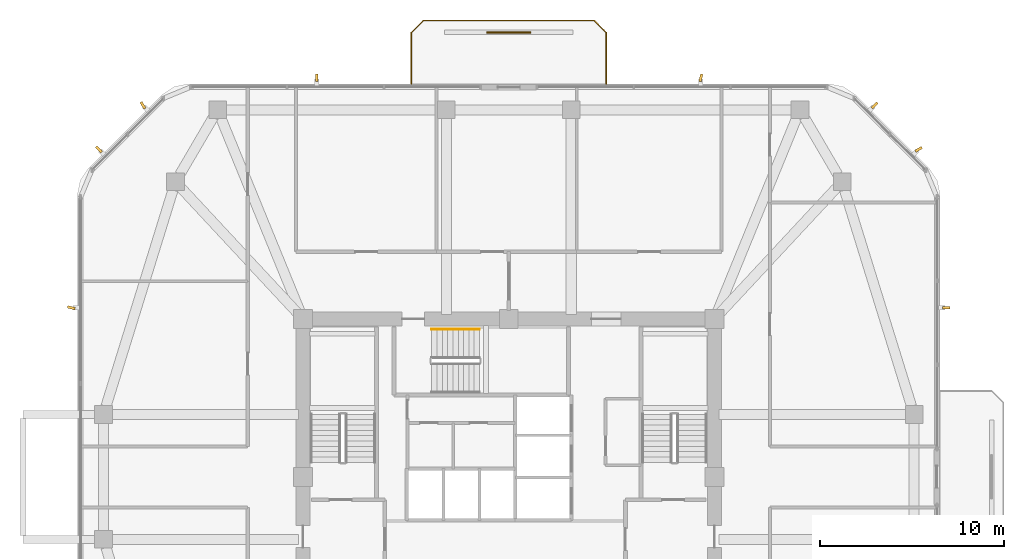
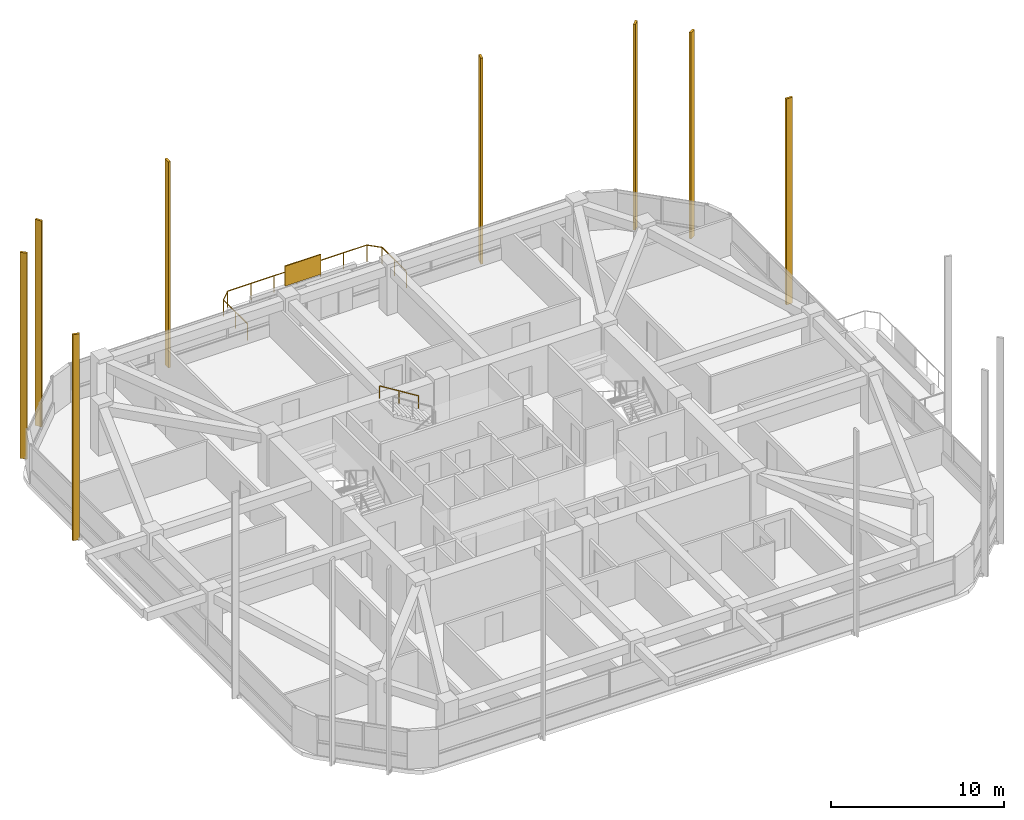
# One storey, part 14 of 14: 9 shading devices, 2 railings.
"""IFC4 building model written with IfcOpenShell, lengths in metres."""

import ifcopenshell
import ifcopenshell.guid

model = None  # the IFC model being written
_history = None  # IfcOwnerHistory: only IFC2X3 demands one
_inside = {}  # id of a spatial element -> (the spatial element, [elements in it])
_under = {}  # id of a project, library or spatial element -> (it, [spatial elements below it])
_declared = {}  # id of a project -> (the project, [libraries it declares])
_typed = {}  # id of a type object -> (the type object, [elements of that type])
_made_of = {}  # id of a material, layer set ... -> (it, [elements and type objects made of it])


def new_model(schema):
    """Start an empty IFC model of exactly this schema.

    Asked for "IFC4X3", IfcOpenShell would pick the latest addendum, in which some entities
    have other attributes; the version numbers below select the first issue.
    IFC2X3 requires an IfcOwnerHistory on every rooted entity: one is made here for all.
    """
    global model, _history
    if schema == "IFC4X3":
        model = ifcopenshell.file(schema_version=(4, 3, 0, 0))
    else:
        model = ifcopenshell.file(schema=schema)
    _inside.clear()
    _under.clear()
    _declared.clear()
    _typed.clear()
    _made_of.clear()
    _history = None
    if model.schema == "IFC2X3":
        org = make("IfcOrganization", Name="unknown")
        user = make(
            "IfcPersonAndOrganization",
            ThePerson=make("IfcPerson", FamilyName="unknown"),
            TheOrganization=org,
        )
        app = make(
            "IfcApplication",
            ApplicationDeveloper=org,
            Version="unknown",
            ApplicationFullName="unknown",
            ApplicationIdentifier="unknown",
        )
        _history = make(
            "IfcOwnerHistory",
            OwningUser=user,
            OwningApplication=app,
            ChangeAction="ADDED",
            CreationDate=0,
        )
    return model


def make(cls, **values):
    """One entity of the class cls with the attributes given. An attribute that is None is left unset."""
    return model.create_entity(
        cls, **{name: value for name, value in values.items() if value is not None}
    )


def rooted(cls, **values):
    """An entity with a GlobalId (a new one), such as an element, a storey or a relation."""
    return make(cls, GlobalId=ifcopenshell.guid.new(), OwnerHistory=_history, **values)


def si_unit(unit_type, name, prefix=None):
    """IfcSIUnit, for example si_unit("LENGTHUNIT", "METRE", prefix="MILLI")."""
    return make("IfcSIUnit", UnitType=unit_type, Prefix=prefix, Name=name)


def derived_unit(unit_type, elements):
    """IfcDerivedUnit: a product of units, each with its exponent."""
    return make(
        "IfcDerivedUnit",
        Elements=[
            make("IfcDerivedUnitElement", Unit=unit, Exponent=power)
            for unit, power in elements
        ],
        UnitType=unit_type,
    )


def assignment(units):
    """IfcUnitAssignment: the units of a project."""
    return None if units is None else make("IfcUnitAssignment", Units=units)


def point(xyz):
    """IfcCartesianPoint."""
    return None if xyz is None else make("IfcCartesianPoint", Coordinates=xyz)


def direction(xyz):
    """IfcDirection."""
    return None if xyz is None else make("IfcDirection", DirectionRatios=xyz)


def frame(location, z_axis=None, x_axis=None):
    """IfcAxis2Placement3D, a coordinate frame: its origin and axes. An axis left out is left unset."""
    return make(
        "IfcAxis2Placement3D",
        Location=point(location),
        Axis=direction(z_axis),
        RefDirection=direction(x_axis),
    )


def frame_2d(location, x_axis=None):
    """IfcAxis2Placement2D, a coordinate frame in the plane: its origin and x axis."""
    return make(
        "IfcAxis2Placement2D", Location=point(location), RefDirection=direction(x_axis)
    )


def origin():
    """The frame at (0, 0, 0) with its axes left unset."""
    return frame((0.0, 0.0, 0.0))


def origin_2d():
    """The frame at (0, 0) in the plane with its x axis left unset."""
    return frame_2d((0.0, 0.0))


def place(relative_to, where):
    """IfcLocalPlacement: puts the frame where relative to a parent placement (None: the world)."""
    return make(
        "IfcLocalPlacement", PlacementRelTo=relative_to, RelativePlacement=where
    )


def context(
    kind, dimensions, precision=None, world=None, true_north=None, identifier=None
):
    """IfcGeometricRepresentationContext, for example the 3D "Model" context."""
    return make(
        "IfcGeometricRepresentationContext",
        ContextIdentifier=identifier,
        ContextType=kind,
        CoordinateSpaceDimension=dimensions,
        Precision=precision,
        WorldCoordinateSystem=world,
        TrueNorth=true_north,
    )


def subcontext(parent, identifier, kind, view, scale=None):
    """IfcGeometricRepresentationSubContext, for example "Body" below "Model"."""
    return make(
        "IfcGeometricRepresentationSubContext",
        ContextIdentifier=identifier,
        ContextType=kind,
        ParentContext=parent,
        TargetScale=scale,
        TargetView=view,
    )


def project(units=None, contexts=None):
    """IfcProject with its units and contexts."""
    return rooted(
        "IfcProject",
        Name="project",
        RepresentationContexts=contexts,
        UnitsInContext=assignment(units),
    )


def spatial(cls, under=None, at=None, **own):
    """A site, building, storey or space (cls), placed at a placement, below another one or the project."""
    s = rooted(cls, ObjectPlacement=at, **own)
    if under is not None:
        _under.setdefault(under.id(), (under, []))[1].append(s)
    return s


def profile(cls, at=None, kind="AREA", **sizes):
    """A parametric profile (cls). Its sizes go by their IFC names, for example OverallWidth=200.0."""
    return make(cls, ProfileType=kind, Position=at, **sizes)


def rectangle(**sizes):
    """IfcRectangleProfileDef."""
    return profile("IfcRectangleProfileDef", **sizes)


def extrude(swept, where, along, depth):
    """IfcExtrudedAreaSolid: the profile swept, set in the frame where, extruded along a direction by depth."""
    return make(
        "IfcExtrudedAreaSolid",
        SweptArea=swept,
        Position=where,
        ExtrudedDirection=direction(along),
        Depth=depth,
    )


def shape(context_of_items, identifier, shape_type, items):
    """IfcShapeRepresentation: the items that make up one representation, for example the "Body"."""
    return make(
        "IfcShapeRepresentation",
        ContextOfItems=context_of_items,
        RepresentationIdentifier=identifier,
        RepresentationType=shape_type,
        Items=items,
    )


def material(Name=None, Category=None):
    """IfcMaterial."""
    return make("IfcMaterial", Name=Name, Category=Category)


def layer(
    of_material, thickness, ventilated=None, Name=None, Category=None, Priority=None
):
    """IfcMaterialLayer: one layer of a wall or slab, of a material (None: an air gap)."""
    return make(
        "IfcMaterialLayer",
        Material=of_material,
        LayerThickness=thickness,
        IsVentilated=ventilated,
        Name=Name,
        Category=Category,
        Priority=Priority,
    )


def layer_set(layers, Name=None):
    """IfcMaterialLayerSet."""
    return make("IfcMaterialLayerSet", MaterialLayers=layers, LayerSetName=Name)


def made_of(thing, what):
    """Note that an element or type object is made of a material, layer set ...; save() writes the relation."""
    if what is not None:
        _made_of.setdefault(what.id(), (what, []))[1].append(thing)
    return thing


def type_object(cls, material=None, **own):
    """A type object (cls), such as IfcWallType, which elements share."""
    return made_of(rooted(cls, **own), material)


def element(
    cls,
    number,
    at=None,
    inside=None,
    cuts=None,
    type_object=None,
    material=None,
    context=None,
    identifier="Body",
    shape_type=None,
    held_by="IfcProductDefinitionShape",
    body=None,
    shapes=None,
    **own,
):
    """One element of the class cls, such as IfcWall. Its Tag is "e" and its number.

    at: its placement. inside: the storey or other place that contains it. cuts: it is an
    opening in that element (IfcRelVoidsElement). A single representation is given by context,
    identifier, shape_type and body (its items); several are given by shapes. held_by: the class
    of the entity that holds the representations. save() writes the other relations.
    """
    e = rooted(cls, Tag="e%d" % number, ObjectPlacement=at, **own)
    if body is not None:
        shapes = [shape(context, identifier, shape_type, body)]
    if shapes is not None:
        e.Representation = make(held_by, Representations=shapes)
    if inside is not None:
        _inside.setdefault(inside.id(), (inside, []))[1].append(e)
    if cuts is not None:
        rooted(
            "IfcRelVoidsElement", RelatingBuildingElement=cuts, RelatedOpeningElement=e
        )
    if type_object is not None:
        _typed.setdefault(type_object.id(), (type_object, []))[1].append(e)
    return made_of(e, material)


def aggregate(whole, parts):
    """IfcRelAggregates: a whole, such as a stair, and the parts it consists of."""
    return rooted("IfcRelAggregates", RelatingObject=whole, RelatedObjects=parts)


def save(model, path):
    """Write the relations noted so far, then the file.

    IfcRelAggregates (storeys below a building ...), IfcRelContainedInSpatialStructure (elements
    in a storey), IfcRelDefinesByType, IfcRelAssociatesMaterial and IfcRelDeclares: one each for
    every whole, place, type object, material and project.
    """
    for whole, parts in _under.values():
        aggregate(whole, parts)
    for where, things in _inside.values():
        rooted(
            "IfcRelContainedInSpatialStructure",
            RelatedElements=things,
            RelatingStructure=where,
        )
    for kind, things in _typed.values():
        rooted("IfcRelDefinesByType", RelatedObjects=things, RelatingType=kind)
    for what, things in _made_of.values():
        rooted("IfcRelAssociatesMaterial", RelatedObjects=things, RelatingMaterial=what)
    for by, libraries in _declared.values():
        rooted("IfcRelDeclares", RelatingContext=by, RelatedDefinitions=libraries)
    model.write(path)


model = new_model("IFC4")

# Units and contexts
model_context = context("Model", 3, precision=1e-05, world=origin(), true_north=direction((0.0, 1.0)))
body_context = subcontext(model_context, "Body", "Model", "MODEL_VIEW")
ifc_project = project(units=[si_unit("LENGTHUNIT", "METRE"), si_unit("AREAUNIT", "SQUARE_METRE"), si_unit("VOLUMEUNIT", "CUBIC_METRE"), si_unit("PLANEANGLEUNIT", "RADIAN"), si_unit("MASSUNIT", "GRAM", prefix="KILO"), derived_unit("THERMALTRANSMITTANCEUNIT", [(si_unit("POWERUNIT", "WATT"), 1), (si_unit("LENGTHUNIT", "METRE"), -2), (si_unit("THERMODYNAMICTEMPERATUREUNIT", "KELVIN"), -1)])], contexts=[model_context])

# Site, building, storey
site_placement = place(None, origin())
site = spatial("IfcSite", under=ifc_project, at=site_placement, CompositionType="ELEMENT")
building_placement = place(site_placement, origin())
building = spatial("IfcBuilding", under=site, at=building_placement, Name="Koralith Skygarden Medical Center", CompositionType="ELEMENT")
storey_placement = place(building_placement, frame((0.0, 0.0, 160.02001953125)))
storey = spatial("IfcBuildingStorey", under=building, at=storey_placement, Name="L41", CompositionType="ELEMENT", Elevation=160.02001953125)

# Shading devices
ifc_material_1 = material(Name="Aluminium 6063-T6", Category="aluminium")
shading_device_type_1 = type_object("IfcShadingDeviceType", Name="Limestone-Clad Solar Storm Fin 420", PredefinedType="USERDEFINED", material=ifc_material_1)
for number, where, z_axis, x_axis, name in (
    (1, (60.81396484375, 35.110107421875, -0.2001953125), (0.0, 0.0, 1.0), (0.999964468264, -0.008429840443, 0.0), "L41 E Harmonic Solar Storm Fin 2"),
    (2, (59.31591796875, 43.73388671875, -0.2001953125), (0.0, 0.0, 1.0), (0.857095379465, 0.515157753022, 0.0), "L41 NE Harmonic Solar Storm Fin 1"),
    (3, (56.91796875, 46.132080078125, -0.2001953125), (0.0, 0.0, 1.0), (0.713042453797, 0.701120859113, 0.0), "L41 NE Harmonic Solar Storm Fin 2"),
    (4, (47.4599609375, 47.6298828125, -0.2001953125), (0.0, 0.0, 1.0), (0.241786414401, 0.970329495487, 0.0), "L41 N Harmonic Solar Storm Fin 1"),
    (5, (26.5400390625, 47.6298828125, -0.2001953125), (0.0, 0.0, 1.0), (0.008429840443, 0.999964468264, 0.0), "L41 N Harmonic Solar Storm Fin 2"),
    (6, (17.08203125, 46.132080078125, -0.2001953125), (0.0, 0.0, 1.0), (-0.515157753022, 0.857095379465, 0.0), "L41 NW Harmonic Solar Storm Fin 1"),
    (7, (14.68408203125, 43.73388671875, -0.2001953125), (0.0, 0.0, 1.0), (-0.701120859113, 0.713042453797, 0.0), "L41 NW Harmonic Solar Storm Fin 2"),
    (8, (13.18603515625, 35.110107421875, -0.2001953125), (0.0, 0.0, 1.0), (-0.970329495487, 0.241786414401, 0.0), "L41 W Harmonic Solar Storm Fin 1"),
):
    element("IfcShadingDevice", number, at=place(storey_placement, frame(where, z_axis=z_axis, x_axis=x_axis)), inside=storey, type_object=shading_device_type_1, Name=name, ObjectType="SOLAR FIN", PredefinedType="USERDEFINED", context=body_context, shape_type="SweptSolid", body=[
        extrude(rectangle(XDim=0.419921875, YDim=0.139892578125, at=origin_2d()), origin(), (0.0, 0.0, 1.0), 14.550048828125),
    ])

# Railing
ifc_material_2 = material(Name="Steel ASTM A500 Grade C", Category="steel")
railing_type_1 = type_object("IfcRailingType", Name="Outdoor Terrace & Balcony Safety Guardrail 1180", PredefinedType="GUARDRAIL", material=ifc_material_2)
railing_1_placement = place(storey_placement, frame((42.300048828125, 47.300048828125, 0.0)))
element("IfcRailing", 9, at=railing_1_placement, inside=storey, type_object=railing_type_1, Name="L41 N Balcony Perimeter Guardrail", PredefinedType="GUARDRAIL", context=body_context, shape_type="SweptSolid", body=[
    extrude(rectangle(XDim=0.050048828125, YDim=0.050048828125, at=origin_2d()), frame((0.0, 0.001953125, 1.15478515625), z_axis=(0.0, 1.0, 0.0), x_axis=(-1.0, 0.0, 0.0)), (0.0, 0.0, 1.0), 2.796142578125),
    extrude(rectangle(XDim=0.050048828125, YDim=0.050048828125, at=origin_2d()), frame((-0.00146484375, 2.801513671875, 1.15478515625), z_axis=(-0.707239558722, 0.706973978714, 0.0), x_axis=(-0.706973978714, -0.707239558722, 0.0)), (0.0, 0.0, 1.0), 0.915283203125),
    extrude(rectangle(XDim=0.050048828125, YDim=0.050048828125, at=origin_2d()), frame((-0.652099609375, 3.449951171875, 1.15478515625), z_axis=(-1.0, 0.0, 0.0), x_axis=(0.0, -1.0, 0.0)), (0.0, 0.0, 1.0), 9.2958984375),
    extrude(rectangle(XDim=0.050048828125, YDim=0.050048828125, at=origin_2d()), frame((-9.951416015625, 3.448486328125, 1.15478515625), z_axis=(-0.707239558722, -0.706973978714, 0.0), x_axis=(0.706973978714, -0.707239558722, 0.0)), (0.0, 0.0, 1.0), 0.915283203125),
    extrude(rectangle(XDim=0.050048828125, YDim=0.050048828125, at=origin_2d()), frame((-10.60009765625, 2.798095703125, 1.15478515625), z_axis=(0.0, -1.0, 0.0), x_axis=(1.0, 0.0, 0.0)), (0.0, 0.0, 1.0), 2.796142578125),
    extrude(rectangle(XDim=0.0419921875, YDim=0.0419921875, at=origin_2d()), origin(), (0.0, 0.0, 1.0), 1.1279296875),
    extrude(rectangle(XDim=0.0419921875, YDim=0.0419921875, at=origin_2d()), frame((0.0, 1.39990234375, 0.0)), (0.0, 0.0, 1.0), 1.1279296875),
    extrude(rectangle(XDim=0.0419921875, YDim=0.0419921875, at=origin_2d()), frame((0.0, 2.800048828125, 0.0)), (0.0, 0.0, 1.0), 1.1279296875),
    extrude(rectangle(XDim=0.0419921875, YDim=0.0419921875, at=origin_2d()), frame((-0.650146484375, 3.449951171875, 0.0)), (0.0, 0.0, 1.0), 1.1279296875),
    extrude(rectangle(XDim=0.0419921875, YDim=0.0419921875, at=origin_2d()), frame((-2.2001953125, 3.449951171875, 0.0)), (0.0, 0.0, 1.0), 1.1279296875),
    extrude(rectangle(XDim=0.0419921875, YDim=0.0419921875, at=origin_2d()), frame((-3.75, 3.449951171875, 0.0)), (0.0, 0.0, 1.0), 1.1279296875),
    extrude(rectangle(XDim=0.0419921875, YDim=0.0419921875, at=origin_2d()), frame((-5.300048828125, 3.449951171875, 0.0)), (0.0, 0.0, 1.0), 1.1279296875),
    extrude(rectangle(XDim=0.0419921875, YDim=0.0419921875, at=origin_2d()), frame((-6.85009765625, 3.449951171875, 0.0)), (0.0, 0.0, 1.0), 1.1279296875),
    extrude(rectangle(XDim=0.0419921875, YDim=0.0419921875, at=origin_2d()), frame((-8.39990234375, 3.449951171875, 0.0)), (0.0, 0.0, 1.0), 1.1279296875),
    extrude(rectangle(XDim=0.0419921875, YDim=0.0419921875, at=origin_2d()), frame((-9.949951171875, 3.449951171875, 0.0)), (0.0, 0.0, 1.0), 1.1279296875),
    extrude(rectangle(XDim=0.0419921875, YDim=0.0419921875, at=origin_2d()), frame((-10.60009765625, 2.800048828125, 0.0)), (0.0, 0.0, 1.0), 1.1279296875),
    extrude(rectangle(XDim=0.0419921875, YDim=0.0419921875, at=origin_2d()), frame((-10.60009765625, 1.39990234375, 0.0)), (0.0, 0.0, 1.0), 1.1279296875),
    extrude(rectangle(XDim=0.0419921875, YDim=0.0419921875, at=origin_2d()), frame((-10.60009765625, 0.0, 0.0)), (0.0, 0.0, 1.0), 1.1279296875),
])

# Shading device
ifc_layer = layer(ifc_material_1, 0.080078125)
ifc_layer_set = layer_set([ifc_layer], Name="Aluminium 6063-T6")
shading_device_type_2 = type_object("IfcShadingDeviceType", Name="Perforated Biophilic Balcony Trellis Screen", PredefinedType="USERDEFINED", material=ifc_layer_set)
shading_device_placement = place(storey_placement, frame((37.0, 50.10009765625, 0.719970703125), z_axis=(0.0, 0.0, 1.0), x_axis=(1.0, 0.0, 0.0)))
element("IfcShadingDevice", 10, at=shading_device_placement, inside=storey, type_object=shading_device_type_2, Name="L41 N Biophilic Balcony Trellis Screen", ObjectType="HURRICANE SCREEN", PredefinedType="USERDEFINED", context=body_context, shape_type="SweptSolid", body=[
    extrude(rectangle(XDim=2.39990234375, YDim=0.080078125, at=origin_2d()), origin(), (0.0, 0.0, 1.0), 1.39990234375),
])

# Railing
railing_type_2 = type_object("IfcRailingType", Name="Stair Flight Tubular Handrail 920", PredefinedType="HANDRAIL", material=ifc_material_2)
railing_2_placement = place(storey_placement, frame((35.409912109375, 33.949951171875, 1.97998046875)))
element("IfcRailing", 11, at=railing_2_placement, inside=storey, type_object=railing_type_2, Name="L41 ST3 stair handrail 2", PredefinedType="HANDRAIL", context=body_context, shape_type="SweptSolid", body=[
    extrude(rectangle(XDim=0.050048828125, YDim=0.050048828125, at=origin_2d()), frame((-0.001708984375, 0.0, 0.89599609375), z_axis=(-0.849610693518, 0.0, 0.52741034258), x_axis=(0.0, -1.0, 0.0)), (0.0, 0.0, 1.0), 3.06787109375),
    extrude(rectangle(XDim=0.0419921875, YDim=0.0419921875, at=origin_2d()), origin(), (0.0, 0.0, 1.0), 0.867919921875),
    extrude(rectangle(XDim=0.0419921875, YDim=0.0419921875, at=origin_2d()), frame((-1.304931640625, 0.0, 0.81005859375)), (0.0, 0.0, 1.0), 0.867919921875),
    extrude(rectangle(XDim=0.0419921875, YDim=0.0419921875, at=origin_2d()), frame((-2.60986328125, 0.0, 1.6201171875)), (0.0, 0.0, 1.0), 0.867919921875),
])

save(model, "model.ifc")
